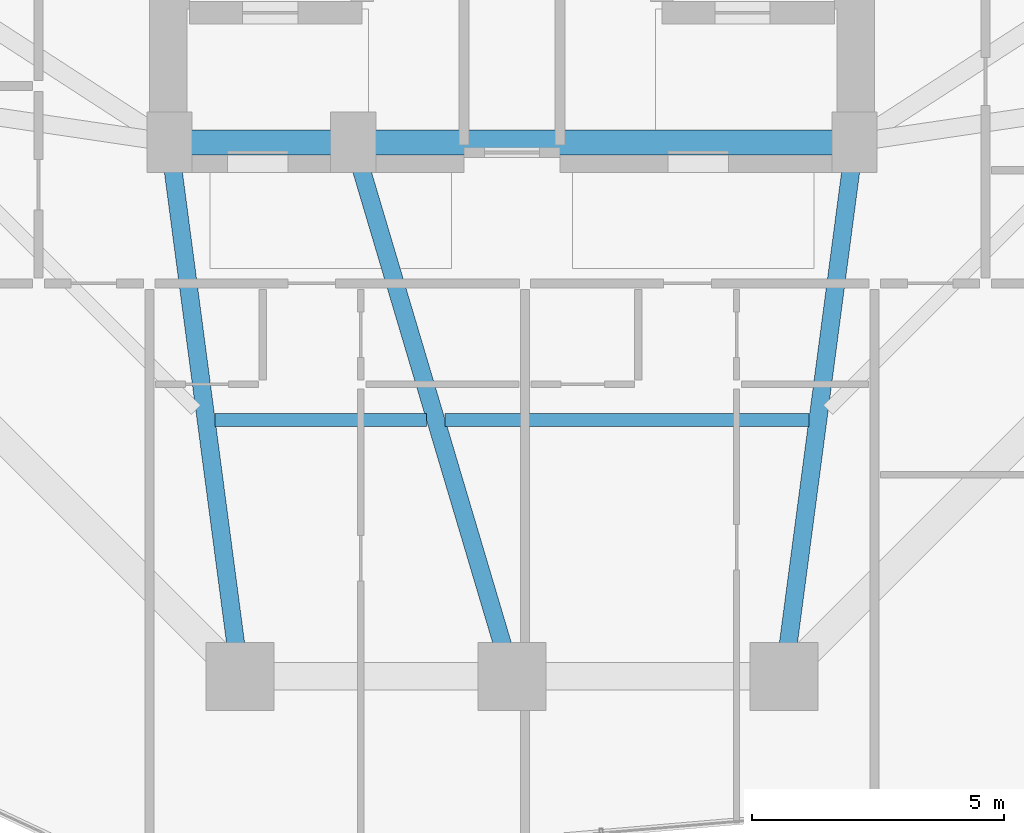
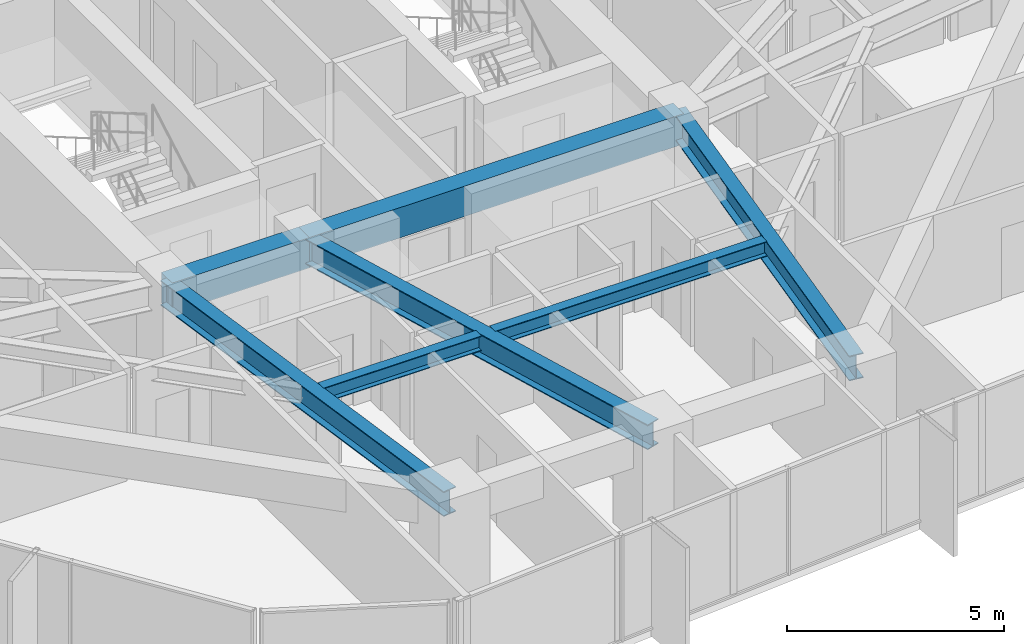
# One storey, part 9 of 37: 7 beams.
"""IFC4 building model written with IfcOpenShell, lengths in metres."""

from ifc_helpers import new_model, si_unit, direction, frame, origin, origin_2d, place, context, subcontext, project, spatial, rectangle, i_section, extrude, material, material_profile, profile_set, type_object, element, save


model = new_model("IFC4")

# Units and contexts
model_context = context("Model", 3, precision=1e-05, world=origin(), true_north=direction((0.0, 1.0)))
body_context = subcontext(model_context, "Body", "Model", "MODEL_VIEW")
ifc_project = project(units=[si_unit("LENGTHUNIT", "METRE"), si_unit("AREAUNIT", "SQUARE_METRE"), si_unit("VOLUMEUNIT", "CUBIC_METRE"), si_unit("PLANEANGLEUNIT", "RADIAN"), si_unit("MASSUNIT", "GRAM", prefix="KILO")], contexts=[model_context])

# Site, building, storey
site_placement = place(None, origin())
site = spatial("IfcSite", under=ifc_project, at=site_placement, CompositionType="ELEMENT")
building_placement = place(site_placement, origin())
building = spatial("IfcBuilding", under=site, at=building_placement, Name="Veraguas Prism Commons", CompositionType="ELEMENT")
storey_placement = place(building_placement, frame((0.0, 0.0, 40.300048828125)))
storey = spatial("IfcBuildingStorey", under=building, at=storey_placement, Name="L10", CompositionType="ELEMENT", Elevation=40.300048828125)

# Beams
ifc_material_1 = material(Name="Concrete C50/60", Category="concrete")
ifc_material_profile_1 = material_profile(ifc_material_1, rectangle(XDim=0.5, YDim=0.85009765625, at=origin_2d()), Name="RC500X850")
ifc_profile_set_1 = profile_set([ifc_material_profile_1], Name="Concrete C50/60")
beam_type_1 = type_object("IfcBeamType", Name="Core Coupling Beam RC 500x850", PredefinedType="BEAM", material=ifc_profile_set_1)
beam_1_placement = place(storey_placement, frame((17.199951171875, 17.0, 2.574951171875), z_axis=(1.0, 0.0, 0.0), x_axis=(0.0, 1.0, 0.0)))
element("IfcBeam", 1, at=beam_1_placement, inside=storey, type_object=beam_type_1, Name="Core Coupling Beam L10-CRS1", PredefinedType="BEAM", context=body_context, shape_type="SweptSolid", body=[
    extrude(rectangle(XDim=0.5, YDim=0.85009765625, at=origin_2d()), origin(), (0.0, 0.0, 1.0), 3.650146484375),
])
beam_2_placement = place(storey_placement, frame((20.85009765625, 17.0, 2.574951171875), z_axis=(1.0, 0.0, 0.0), x_axis=(0.0, 1.0, 0.0)))
element("IfcBeam", 2, at=beam_2_placement, inside=storey, type_object=beam_type_1, Name="Core Coupling Beam L10-CRS2", PredefinedType="BEAM", context=body_context, shape_type="SweptSolid", body=[
    extrude(rectangle(XDim=0.5, YDim=0.85009765625, at=origin_2d()), origin(), (0.0, 0.0, 1.0), 9.949951171875),
])
ifc_material_2 = material(Name="Steel ASTM A992 Grade 50", Category="steel")
ifc_material_profile_2 = material_profile(ifc_material_2, i_section(OverallWidth=0.260986328125, OverallDepth=0.419921875, WebThickness=0.01171875, FlangeThickness=0.019287109375, at=origin_2d()), Name="W410X114")
ifc_profile_set_2 = profile_set([ifc_material_profile_2], Name="Steel ASTM A992 Grade 50")
beam_type_2 = type_object("IfcBeamType", Name="Lower Floor Joist W410x114", PredefinedType="JOIST", material=ifc_profile_set_2)
beam_3_placement = place(storey_placement, frame((18.10546875, 11.488037109375, 2.7900390625), z_axis=(1.0, 0.0, 0.0), x_axis=(0.0, 1.0, 0.0)))
element("IfcBeam", 3, at=beam_3_placement, inside=storey, type_object=beam_type_2, Name="Composite Floor Joist L10-JS10", PredefinedType="JOIST", context=body_context, shape_type="SweptSolid", body=[
    extrude(i_section(OverallWidth=0.260986328125, OverallDepth=0.419921875, WebThickness=0.01171875, FlangeThickness=0.019287109375, at=origin_2d()), origin(), (0.0, 0.0, 1.0), 4.198974609375),
])
beam_4_placement = place(storey_placement, frame((22.671630859375, 11.488037109375, 2.7900390625), z_axis=(1.0, 0.0, 0.0), x_axis=(0.0, 1.0, 0.0)))
element("IfcBeam", 4, at=beam_4_placement, inside=storey, type_object=beam_type_2, Name="Composite Floor Joist L10-JS11", PredefinedType="JOIST", context=body_context, shape_type="SweptSolid", body=[
    extrude(i_section(OverallWidth=0.260986328125, OverallDepth=0.419921875, WebThickness=0.01171875, FlangeThickness=0.019287109375, at=origin_2d()), origin(), (0.0, 0.0, 1.0), 7.222900390625),
])
ifc_material_profile_3 = material_profile(ifc_material_2, i_section(OverallWidth=0.35595703125, OverallDepth=0.700927734375, WebThickness=0.016845703125, FlangeThickness=0.02734375, at=origin_2d()), Name="W690X240")
ifc_profile_set_3 = profile_set([ifc_material_profile_3], Name="Steel ASTM A992 Grade 50")
beam_type_3 = type_object("IfcBeamType", Name="Zone 1 Radial Girder W690x240", PredefinedType="BEAM", material=ifc_profile_set_3)
beam_5_placement = place(storey_placement, frame((18.60009765625, 6.39990234375, 2.6494140625), z_axis=(-0.130950648891, 0.991388888154, 0.0), x_axis=(-0.991388888154, -0.130950648891, 0.0)))
element("IfcBeam", 5, at=beam_5_placement, inside=storey, type_object=beam_type_3, Name="Radial Floor Girder L10-RD10", PredefinedType="BEAM", context=body_context, shape_type="SweptSolid", body=[
    extrude(i_section(OverallWidth=0.35595703125, OverallDepth=0.700927734375, WebThickness=0.016845703125, FlangeThickness=0.02734375, at=origin_2d()), origin(), (0.0, 0.0, 1.0), 10.692138671875),
])
beam_6_placement = place(storey_placement, frame((24.0, 6.39990234375, 2.6494140625), z_axis=(-0.28484745997, 0.958572858237, 0.0), x_axis=(-0.958572858237, -0.28484745997, 0.0)))
element("IfcBeam", 6, at=beam_6_placement, inside=storey, type_object=beam_type_3, Name="Radial Floor Girder L10-RD11", PredefinedType="BEAM", context=body_context, shape_type="SweptSolid", body=[
    extrude(i_section(OverallWidth=0.35595703125, OverallDepth=0.700927734375, WebThickness=0.016845703125, FlangeThickness=0.02734375, at=origin_2d()), origin(), (0.0, 0.0, 1.0), 11.05810546875),
])
beam_7_placement = place(storey_placement, frame((29.39990234375, 6.39990234375, 2.6494140625), z_axis=(0.130950648891, 0.991388888154, 0.0), x_axis=(-0.991388888154, 0.130950648891, 0.0)))
element("IfcBeam", 7, at=beam_7_placement, inside=storey, type_object=beam_type_3, Name="Radial Floor Girder L10-RD12", PredefinedType="BEAM", context=body_context, shape_type="SweptSolid", body=[
    extrude(i_section(OverallWidth=0.35595703125, OverallDepth=0.700927734375, WebThickness=0.016845703125, FlangeThickness=0.02734375, at=origin_2d()), origin(), (0.0, 0.0, 1.0), 10.692138671875),
])

save(model, "model.ifc")
